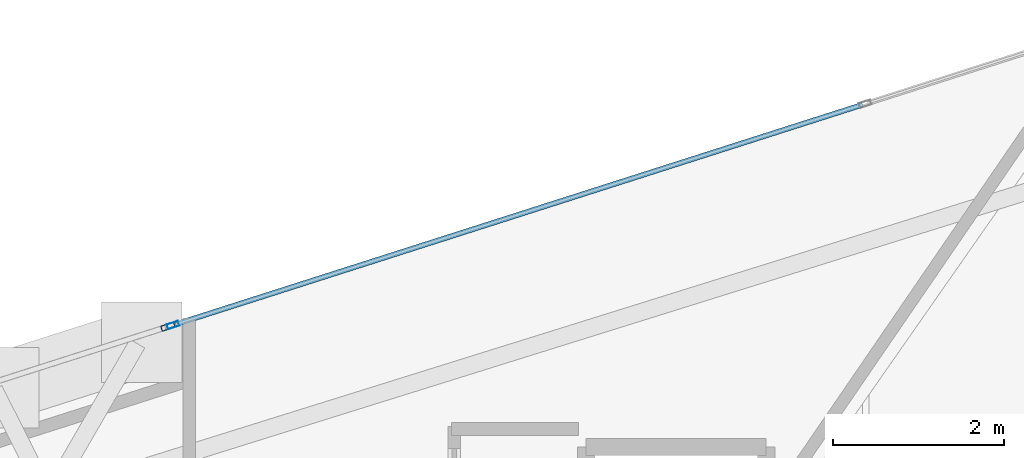
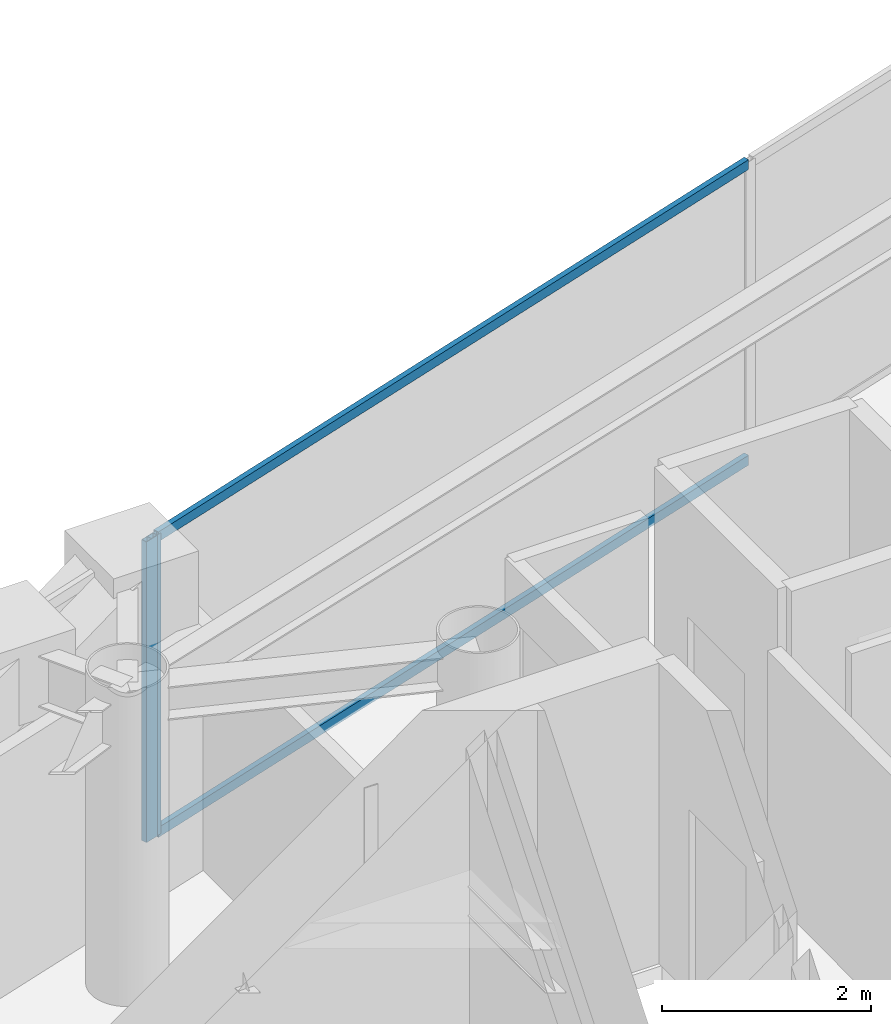
# One storey, part 11 of 19: 4 members, 2 elements without a shape of their own.
"""IFC4 building model written with IfcOpenShell, lengths in metres."""

import ifcopenshell
import ifcopenshell.guid

model = None  # the IFC model being written
_history = None  # IfcOwnerHistory: only IFC2X3 demands one
_inside = {}  # id of a spatial element -> (the spatial element, [elements in it])
_under = {}  # id of a project, library or spatial element -> (it, [spatial elements below it])
_declared = {}  # id of a project -> (the project, [libraries it declares])
_typed = {}  # id of a type object -> (the type object, [elements of that type])
_made_of = {}  # id of a material, layer set ... -> (it, [elements and type objects made of it])


def new_model(schema):
    """Start an empty IFC model of exactly this schema.

    Asked for "IFC4X3", IfcOpenShell would pick the latest addendum, in which some entities
    have other attributes; the version numbers below select the first issue.
    IFC2X3 requires an IfcOwnerHistory on every rooted entity: one is made here for all.
    """
    global model, _history
    if schema == "IFC4X3":
        model = ifcopenshell.file(schema_version=(4, 3, 0, 0))
    else:
        model = ifcopenshell.file(schema=schema)
    _inside.clear()
    _under.clear()
    _declared.clear()
    _typed.clear()
    _made_of.clear()
    _history = None
    if model.schema == "IFC2X3":
        org = make("IfcOrganization", Name="unknown")
        user = make(
            "IfcPersonAndOrganization",
            ThePerson=make("IfcPerson", FamilyName="unknown"),
            TheOrganization=org,
        )
        app = make(
            "IfcApplication",
            ApplicationDeveloper=org,
            Version="unknown",
            ApplicationFullName="unknown",
            ApplicationIdentifier="unknown",
        )
        _history = make(
            "IfcOwnerHistory",
            OwningUser=user,
            OwningApplication=app,
            ChangeAction="ADDED",
            CreationDate=0,
        )
    return model


def make(cls, **values):
    """One entity of the class cls with the attributes given. An attribute that is None is left unset."""
    return model.create_entity(
        cls, **{name: value for name, value in values.items() if value is not None}
    )


def rooted(cls, **values):
    """An entity with a GlobalId (a new one), such as an element, a storey or a relation."""
    return make(cls, GlobalId=ifcopenshell.guid.new(), OwnerHistory=_history, **values)


def si_unit(unit_type, name, prefix=None):
    """IfcSIUnit, for example si_unit("LENGTHUNIT", "METRE", prefix="MILLI")."""
    return make("IfcSIUnit", UnitType=unit_type, Prefix=prefix, Name=name)


def assignment(units):
    """IfcUnitAssignment: the units of a project."""
    return None if units is None else make("IfcUnitAssignment", Units=units)


def point(xyz):
    """IfcCartesianPoint."""
    return None if xyz is None else make("IfcCartesianPoint", Coordinates=xyz)


def direction(xyz):
    """IfcDirection."""
    return None if xyz is None else make("IfcDirection", DirectionRatios=xyz)


def frame(location, z_axis=None, x_axis=None):
    """IfcAxis2Placement3D, a coordinate frame: its origin and axes. An axis left out is left unset."""
    return make(
        "IfcAxis2Placement3D",
        Location=point(location),
        Axis=direction(z_axis),
        RefDirection=direction(x_axis),
    )


def frame_2d(location, x_axis=None):
    """IfcAxis2Placement2D, a coordinate frame in the plane: its origin and x axis."""
    return make(
        "IfcAxis2Placement2D", Location=point(location), RefDirection=direction(x_axis)
    )


def origin():
    """The frame at (0, 0, 0) with its axes left unset."""
    return frame((0.0, 0.0, 0.0))


def origin_2d():
    """The frame at (0, 0) in the plane with its x axis left unset."""
    return frame_2d((0.0, 0.0))


def place(relative_to, where):
    """IfcLocalPlacement: puts the frame where relative to a parent placement (None: the world)."""
    return make(
        "IfcLocalPlacement", PlacementRelTo=relative_to, RelativePlacement=where
    )


def context(
    kind, dimensions, precision=None, world=None, true_north=None, identifier=None
):
    """IfcGeometricRepresentationContext, for example the 3D "Model" context."""
    return make(
        "IfcGeometricRepresentationContext",
        ContextIdentifier=identifier,
        ContextType=kind,
        CoordinateSpaceDimension=dimensions,
        Precision=precision,
        WorldCoordinateSystem=world,
        TrueNorth=true_north,
    )


def subcontext(parent, identifier, kind, view, scale=None):
    """IfcGeometricRepresentationSubContext, for example "Body" below "Model"."""
    return make(
        "IfcGeometricRepresentationSubContext",
        ContextIdentifier=identifier,
        ContextType=kind,
        ParentContext=parent,
        TargetScale=scale,
        TargetView=view,
    )


def project(units=None, contexts=None):
    """IfcProject with its units and contexts."""
    return rooted(
        "IfcProject",
        Name="project",
        RepresentationContexts=contexts,
        UnitsInContext=assignment(units),
    )


def spatial(cls, under=None, at=None, **own):
    """A site, building, storey or space (cls), placed at a placement, below another one or the project."""
    s = rooted(cls, ObjectPlacement=at, **own)
    if under is not None:
        _under.setdefault(under.id(), (under, []))[1].append(s)
    return s


def profile(cls, at=None, kind="AREA", **sizes):
    """A parametric profile (cls). Its sizes go by their IFC names, for example OverallWidth=200.0."""
    return make(cls, ProfileType=kind, Position=at, **sizes)


def hollow_rectangle(**sizes):
    """IfcRectangleHollowProfileDef."""
    return profile("IfcRectangleHollowProfileDef", **sizes)


def extrude(swept, where, along, depth):
    """IfcExtrudedAreaSolid: the profile swept, set in the frame where, extruded along a direction by depth."""
    return make(
        "IfcExtrudedAreaSolid",
        SweptArea=swept,
        Position=where,
        ExtrudedDirection=direction(along),
        Depth=depth,
    )


def shape(context_of_items, identifier, shape_type, items):
    """IfcShapeRepresentation: the items that make up one representation, for example the "Body"."""
    return make(
        "IfcShapeRepresentation",
        ContextOfItems=context_of_items,
        RepresentationIdentifier=identifier,
        RepresentationType=shape_type,
        Items=items,
    )


def material(Name=None, Category=None):
    """IfcMaterial."""
    return make("IfcMaterial", Name=Name, Category=Category)


def layer(
    of_material, thickness, ventilated=None, Name=None, Category=None, Priority=None
):
    """IfcMaterialLayer: one layer of a wall or slab, of a material (None: an air gap)."""
    return make(
        "IfcMaterialLayer",
        Material=of_material,
        LayerThickness=thickness,
        IsVentilated=ventilated,
        Name=Name,
        Category=Category,
        Priority=Priority,
    )


def layer_set(layers, Name=None):
    """IfcMaterialLayerSet."""
    return make("IfcMaterialLayerSet", MaterialLayers=layers, LayerSetName=Name)


def material_profile(
    of_material, cross_section, Name=None, Category=None, Priority=None
):
    """IfcMaterialProfile: a cross section and its material."""
    return make(
        "IfcMaterialProfile",
        Name=Name,
        Material=of_material,
        Profile=cross_section,
        Priority=Priority,
        Category=Category,
    )


def profile_set(profiles, Name=None, composite=None):
    """IfcMaterialProfileSet."""
    return make(
        "IfcMaterialProfileSet",
        Name=Name,
        MaterialProfiles=profiles,
        CompositeProfile=composite,
    )


def made_of(thing, what):
    """Note that an element or type object is made of a material, layer set ...; save() writes the relation."""
    if what is not None:
        _made_of.setdefault(what.id(), (what, []))[1].append(thing)
    return thing


def type_object(cls, material=None, **own):
    """A type object (cls), such as IfcWallType, which elements share."""
    return made_of(rooted(cls, **own), material)


def element(
    cls,
    number,
    at=None,
    inside=None,
    cuts=None,
    type_object=None,
    material=None,
    context=None,
    identifier="Body",
    shape_type=None,
    held_by="IfcProductDefinitionShape",
    body=None,
    shapes=None,
    **own,
):
    """One element of the class cls, such as IfcWall. Its Tag is "e" and its number.

    at: its placement. inside: the storey or other place that contains it. cuts: it is an
    opening in that element (IfcRelVoidsElement). A single representation is given by context,
    identifier, shape_type and body (its items); several are given by shapes. held_by: the class
    of the entity that holds the representations. save() writes the other relations.
    """
    e = rooted(cls, Tag="e%d" % number, ObjectPlacement=at, **own)
    if body is not None:
        shapes = [shape(context, identifier, shape_type, body)]
    if shapes is not None:
        e.Representation = make(held_by, Representations=shapes)
    if inside is not None:
        _inside.setdefault(inside.id(), (inside, []))[1].append(e)
    if cuts is not None:
        rooted(
            "IfcRelVoidsElement", RelatingBuildingElement=cuts, RelatedOpeningElement=e
        )
    if type_object is not None:
        _typed.setdefault(type_object.id(), (type_object, []))[1].append(e)
    return made_of(e, material)


def aggregate(whole, parts):
    """IfcRelAggregates: a whole, such as a stair, and the parts it consists of."""
    return rooted("IfcRelAggregates", RelatingObject=whole, RelatedObjects=parts)


def save(model, path):
    """Write the relations noted so far, then the file.

    IfcRelAggregates (storeys below a building ...), IfcRelContainedInSpatialStructure (elements
    in a storey), IfcRelDefinesByType, IfcRelAssociatesMaterial and IfcRelDeclares: one each for
    every whole, place, type object, material and project.
    """
    for whole, parts in _under.values():
        aggregate(whole, parts)
    for where, things in _inside.values():
        rooted(
            "IfcRelContainedInSpatialStructure",
            RelatedElements=things,
            RelatingStructure=where,
        )
    for kind, things in _typed.values():
        rooted("IfcRelDefinesByType", RelatedObjects=things, RelatingType=kind)
    for what, things in _made_of.values():
        rooted("IfcRelAssociatesMaterial", RelatedObjects=things, RelatingMaterial=what)
    for by, libraries in _declared.values():
        rooted("IfcRelDeclares", RelatingContext=by, RelatedDefinitions=libraries)
    model.write(path)


model = new_model("IFC4")

# Units and contexts
model_context = context("Model", 3, precision=1e-05, world=origin(), true_north=direction((0.0, 1.0)))
body_context = subcontext(model_context, "Body", "Model", "MODEL_VIEW")
ifc_project = project(units=[si_unit("LENGTHUNIT", "METRE"), si_unit("AREAUNIT", "SQUARE_METRE"), si_unit("VOLUMEUNIT", "CUBIC_METRE"), si_unit("PLANEANGLEUNIT", "RADIAN"), si_unit("MASSUNIT", "GRAM", prefix="KILO")], contexts=[model_context])

# Site, building, storey
site_placement = place(None, origin())
site = spatial("IfcSite", under=ifc_project, at=site_placement, CompositionType="ELEMENT")
building_placement = place(site_placement, origin())
building = spatial("IfcBuilding", under=site, at=building_placement, Name="Qianvela Tower", CompositionType="ELEMENT")
storey_placement = place(building_placement, frame((0.0, 0.0, 329.60009765625)))
storey = spatial("IfcBuildingStorey", under=building, at=storey_placement, Name="L85", CompositionType="ELEMENT", Elevation=329.60009765625)

# Curtain wall, member
ifc_material_1 = material(Name="Anodised Architectural Aluminium and Insulated Spandrel Panel", Category="aluminium")
ifc_layer_1 = layer(ifc_material_1, 0.179931640625)
ifc_layer_set_1 = layer_set([ifc_layer_1], Name="Anodised Architectural Aluminium and Insulated Spandrel Panel")
curtain_wall_type_1 = type_object("IfcCurtainWallType", Name="CW-BRACEBAY", PredefinedType="USERDEFINED", material=ifc_layer_set_1)
curtain_wall_1_placement = place(storey_placement, origin())
curtain_wall_1 = element("IfcCurtainWall", 1, at=curtain_wall_1_placement, inside=storey, type_object=curtain_wall_type_1, Name="L85 CW-BRACEBAY Curtain Wall 02B", ObjectType="CURTAIN_WALL_SYSTEM", PredefinedType="USERDEFINED")
ifc_material_2 = material(Name="Anodised Architectural Aluminium 6063-T6", Category="aluminium")
ifc_material_profile_1 = material_profile(ifc_material_2, hollow_rectangle(XDim=0.06494140625, YDim=0.159912109375, WallThickness=0.0048828125, at=origin_2d()), Name="ALU-MULL-65x160")
ifc_profile_set_1 = profile_set([ifc_material_profile_1], Name="Anodised Architectural Aluminium 6063-T6")
member_type_1 = type_object("IfcMemberType", Name="CW-BRACEBAY-MULL", PredefinedType="MULLION", material=ifc_profile_set_1)
member_1_placement = place(storey_placement, frame((36.5712890625, 36.68359375, 0.0), z_axis=(0.0, 0.0, 1.0), x_axis=(0.304482674684, -0.952517874277, 0.0)))
member_1 = element("IfcMember", 2, at=member_1_placement, type_object=member_type_1, Name="CW-9 mullion 1", PredefinedType="MULLION", context=body_context, shape_type="SweptSolid", body=[
    extrude(hollow_rectangle(XDim=0.06494140625, YDim=0.159912109375, WallThickness=0.0048828125, at=origin_2d()), origin(), (0.0, 0.0, 1.0), 3.52001953125),
])
aggregate(curtain_wall_1, [member_1])

# Curtain wall, members
ifc_material_3 = material(Name="Anodised Architectural Aluminium and Low-E Glass", Category="aluminium")
ifc_layer_2 = layer(ifc_material_3, 0.14990234375)
ifc_layer_set_2 = layer_set([ifc_layer_2], Name="Anodised Architectural Aluminium and Low-E Glass")
curtain_wall_type_2 = type_object("IfcCurtainWallType", Name="CW-COLIV-Z78", PredefinedType="USERDEFINED", material=ifc_layer_set_2)
curtain_wall_2_placement = place(storey_placement, origin())
curtain_wall_2 = element("IfcCurtainWall", 3, at=curtain_wall_2_placement, inside=storey, type_object=curtain_wall_type_2, Name="L85 CW-COLIV-Z78 Curtain Wall 02A", ObjectType="CURTAIN_WALL_SYSTEM", PredefinedType="USERDEFINED")
ifc_material_4 = material(Name="Anodised Architectural Aluminium 6063-T6", Category="aluminium")
ifc_material_profile_2 = material_profile(ifc_material_4, hollow_rectangle(XDim=0.06005859375, YDim=0.139892578125, WallThickness=0.00439453125, at=origin_2d()), Name="ALU-MULL-60x140")
ifc_profile_set_2 = profile_set([ifc_material_profile_2], Name="Anodised Architectural Aluminium 6063-T6")
member_type_2 = type_object("IfcMemberType", Name="CW-COLIV-Z78-MULL", PredefinedType="MULLION", material=ifc_profile_set_2)
member_2_placement = place(storey_placement, frame((36.630859375, 36.70263671875, 0.0), z_axis=(0.0, 0.0, 1.0), x_axis=(0.304484115934, -0.952517413565, 0.0)))
member_2 = element("IfcMember", 4, at=member_2_placement, type_object=member_type_2, Name="CW-6 mullion 3", PredefinedType="MULLION", context=body_context, shape_type="SweptSolid", body=[
    extrude(hollow_rectangle(XDim=0.06005859375, YDim=0.139892578125, WallThickness=0.00439453125, at=origin_2d()), origin(), (0.0, 0.0, 1.0), 3.52001953125),
])
ifc_material_5 = material(Name="Anodised Architectural Aluminium 6063-T6", Category="aluminium")
ifc_material_profile_3 = material_profile(ifc_material_5, hollow_rectangle(XDim=0.06005859375, YDim=0.114990234375, WallThickness=0.00390625, at=origin_2d()), Name="ALU-TRAN-60x115")
ifc_profile_set_3 = profile_set([ifc_material_profile_3], Name="Anodised Architectural Aluminium 6063-T6")
member_type_3 = type_object("IfcMemberType", Name="CW-COLIV-Z78-TRAN", PredefinedType="USERDEFINED", material=ifc_profile_set_3)
member_3_placement = place(storey_placement, frame((44.6748046875, 39.27392578125, 0.02978515625), z_axis=(-0.952516068636, -0.304488323241, 0.0), x_axis=(0.304488323241, -0.952516068636, 0.0)))
member_3 = element("IfcMember", 5, at=member_3_placement, type_object=member_type_3, Name="CW-6 transom 2.1", ObjectType="TRANSOM", PredefinedType="USERDEFINED", context=body_context, shape_type="SweptSolid", body=[
    extrude(hollow_rectangle(XDim=0.06005859375, YDim=0.114990234375, WallThickness=0.00390625, at=origin_2d()), origin(), (0.0, 0.0, 1.0), 8.4150390625),
])
member_4_placement = place(storey_placement, frame((44.6748046875, 39.27392578125, 3.489990234375), z_axis=(-0.952516068636, -0.304488323241, 0.0), x_axis=(0.304488323241, -0.952516068636, 0.0)))
member_4 = element("IfcMember", 6, at=member_4_placement, type_object=member_type_3, Name="CW-6 transom 2.2", ObjectType="TRANSOM", PredefinedType="USERDEFINED", context=body_context, shape_type="SweptSolid", body=[
    extrude(hollow_rectangle(XDim=0.06005859375, YDim=0.114990234375, WallThickness=0.00390625, at=origin_2d()), origin(), (0.0, 0.0, 1.0), 8.4150390625),
])
aggregate(curtain_wall_2, [member_2, member_3, member_4])

save(model, "model.ifc")
